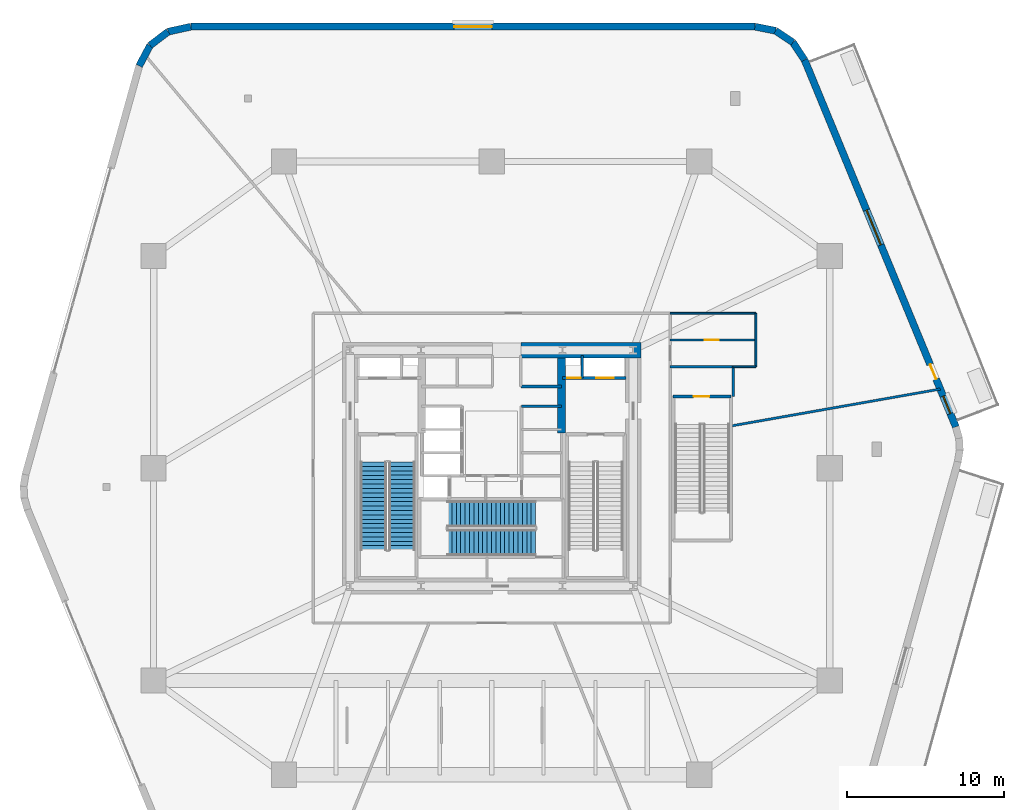
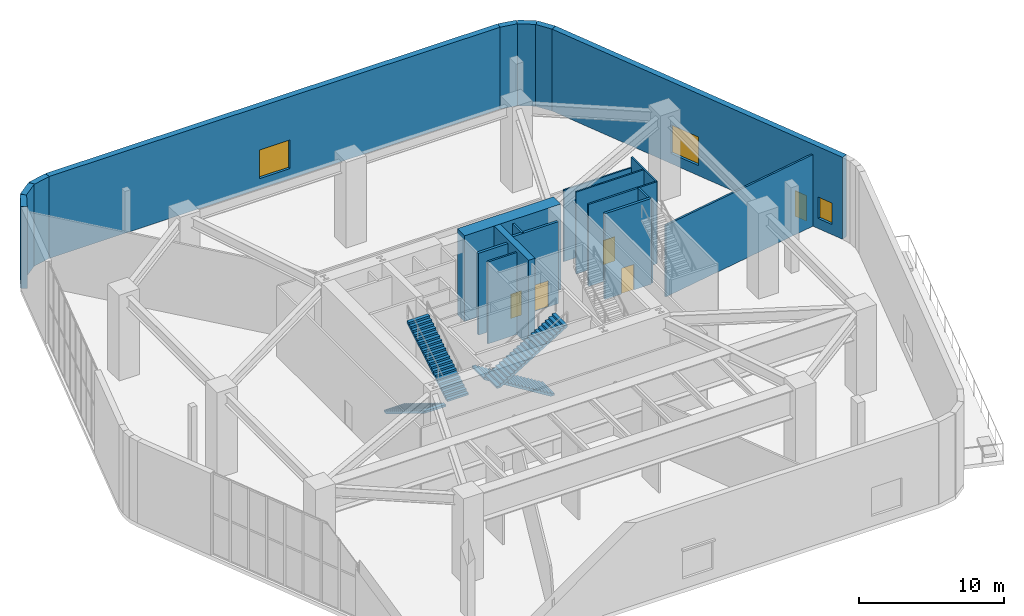
# One storey, part 12 of 17: 22 walls, 5 doors, 4 stair flights, 3 windows, 8 openings, 2 elements without a shape of their own.
"""IFC4 building model written with IfcOpenShell, lengths in metres."""

from ifc_helpers import new_model, si_unit, direction, frame, frame_2d, origin, place, context, subcontext, project, spatial, polyline, rectangle, outline, extrude, material, layer, layer_set, type_object, element, fill, aggregate, save


model = new_model("IFC4")

# Units and contexts
model_context = context("Model", 3, precision=1e-05, world=origin(), true_north=direction((0.0, 1.0)))
body_context = subcontext(model_context, "Body", "Model", "MODEL_VIEW")
ifc_project = project(units=[si_unit("LENGTHUNIT", "METRE"), si_unit("AREAUNIT", "SQUARE_METRE"), si_unit("VOLUMEUNIT", "CUBIC_METRE"), si_unit("PLANEANGLEUNIT", "RADIAN"), si_unit("MASSUNIT", "GRAM", prefix="KILO")], contexts=[model_context])

# Site, building, storey
site_placement = place(None, origin())
site = spatial("IfcSite", under=ifc_project, at=site_placement, CompositionType="ELEMENT")
building_placement = place(site_placement, origin())
building = spatial("IfcBuilding", under=site, at=building_placement, Name="Kilnhurst Terrace Hotel", CompositionType="ELEMENT")
storey_placement = place(building_placement, frame((0.0, 0.0, 11.39990234375)))
storey = spatial("IfcBuildingStorey", under=building, at=storey_placement, Name="L02", CompositionType="ELEMENT", Elevation=11.39990234375)

# Walls
ifc_material_1 = material(Name="Precast concrete C40/50", Category="concrete")
ifc_layer_1 = layer(ifc_material_1, 0.449951171875, Name="Precast concrete C40/50")
ifc_layer_set_1 = layer_set([ifc_layer_1], Name="Precast concrete C40/50")
wall_type_1 = type_object("IfcWallType", Name="WL-BRK-450", PredefinedType="SOLIDWALL", material=ifc_layer_set_1)
wall_1_placement = place(storey_placement, frame((19.895751953125, 25.965576171875, 0.0), z_axis=(0.0, 0.0, 1.0), x_axis=(-0.554237463162, 0.832358597257, 0.0)))
element("IfcWall", 1, at=wall_1_placement, inside=storey, type_object=wall_type_1, Name="L02 Rounded Corner Brick Wall C4.1", PredefinedType="SOLIDWALL", context=body_context, shape_type="SweptSolid", body=[
    extrude(rectangle(XDim=1.339599609375, YDim=0.449951171875, at=frame_2d((0.669921875, 0.0))), origin(), (0.0, 0.0, 1.0), 6.880126953125),
])
wall_2_placement = place(storey_placement, frame((19.1533203125, 27.08056640625, 0.0), z_axis=(0.0, 0.0, 1.0), x_axis=(-0.831050979436, 0.556196250956, 0.0)))
element("IfcWall", 2, at=wall_2_placement, inside=storey, type_object=wall_type_1, Name="L02 Rounded Corner Brick Wall C4.2", PredefinedType="SOLIDWALL", context=body_context, shape_type="SweptSolid", body=[
    extrude(rectangle(XDim=1.3173828125, YDim=0.449951171875, at=frame_2d((0.65869140625, 0.0))), origin(), (0.0, 0.0, 1.0), 6.880126953125),
])
wall_3_placement = place(storey_placement, frame((18.05859375, 27.813232421875, 0.0), z_axis=(0.0, 0.0, 1.0), x_axis=(-0.98072760743, 0.195380039986, 0.0)))
element("IfcWall", 3, at=wall_3_placement, inside=storey, type_object=wall_type_1, Name="L02 Rounded Corner Brick Wall C4.3", PredefinedType="SOLIDWALL", context=body_context, shape_type="SweptSolid", body=[
    extrude(rectangle(XDim=1.339599609375, YDim=0.449951171875, at=frame_2d((0.669921875, 0.0))), origin(), (0.0, 0.0, 1.0), 6.880126953125),
])
wall_4_placement = place(storey_placement, frame((-19.13525390625, 28.074951171875, 0.0), z_axis=(0.0, 0.0, 1.0), x_axis=(-0.976633338678, -0.214912358376, 0.0)))
element("IfcWall", 4, at=wall_4_placement, inside=storey, type_object=wall_type_1, Name="L02 Rounded Corner Brick Wall C5.1", PredefinedType="SOLIDWALL", context=body_context, shape_type="SweptSolid", body=[
    extrude(rectangle(XDim=1.473388671875, YDim=0.449951171875, at=frame_2d((0.73681640625, 0.0))), origin(), (0.0, 0.0, 1.0), 6.880126953125),
])
wall_5_placement = place(storey_placement, frame((-20.57421875, 27.75830078125, 0.0), z_axis=(0.0, 0.0, 1.0), x_axis=(-0.796282384807, -0.604925089284, 0.0)))
element("IfcWall", 5, at=wall_5_placement, inside=storey, type_object=wall_type_1, Name="L02 Rounded Corner Brick Wall C5.2", PredefinedType="SOLIDWALL", context=body_context, shape_type="SweptSolid", body=[
    extrude(rectangle(XDim=1.447998046875, YDim=0.449951171875, at=frame_2d((0.72412109375, 0.0))), origin(), (0.0, 0.0, 1.0), 6.880126953125),
])
wall_6_placement = place(storey_placement, frame((-21.727294921875, 26.88232421875, 0.0), z_axis=(0.0, 0.0, 1.0), x_axis=(-0.468626083389, -0.883396623249, 0.0)))
element("IfcWall", 6, at=wall_6_placement, inside=storey, type_object=wall_type_1, Name="L02 Rounded Corner Brick Wall C5.3", PredefinedType="SOLIDWALL", context=body_context, shape_type="SweptSolid", body=[
    extrude(rectangle(XDim=1.473388671875, YDim=0.449951171875, at=frame_2d((0.73681640625, 0.0))), origin(), (0.0, 0.0, 1.0), 6.880126953125),
])

# Wall, openings, door, windows
wall_7_placement = place(storey_placement, frame((29.515625, 2.626708984375, 0.0), z_axis=(0.0, 0.0, 1.0), x_axis=(-0.381080066032, 0.924542039754, 0.0)))
wall_7 = element("IfcWall", 7, at=wall_7_placement, inside=storey, type_object=wall_type_1, Name="L02 Exterior Brick Facade Wall F3", PredefinedType="SOLIDWALL", context=body_context, shape_type="SweptSolid", body=[
    extrude(rectangle(XDim=25.24365234375, YDim=0.449951171875, at=frame_2d((12.621826171875, 0.0))), origin(), (0.0, 0.0, 1.0), 6.880126953125),
])
opening_1_placement = place(wall_7_placement, frame((3.287109375, 0.0, 0.0)))
opening_1 = element("IfcOpeningElement", 8, at=opening_1_placement, cuts=wall_7, Name="Opening BD-1000", PredefinedType="OPENING", context=body_context, shape_type="SweptSolid", body=[
    extrude(rectangle(XDim=1.0, YDim=2.14990234375, at=frame_2d((0.5, 1.074951171875))), frame((0.0, 0.23486328125, 0.0), z_axis=(0.0, -1.0, 0.0), x_axis=(1.0, 0.0, 0.0)), (0.0, 0.0, 1.0), 0.469970703125),
])
opening_2_placement = place(wall_7_placement, frame((0.9150390625, 0.0, 0.85009765625)))
opening_2 = element("IfcOpeningElement", 9, at=opening_2_placement, cuts=wall_7, Name="Opening W-03", PredefinedType="OPENING", context=body_context, shape_type="SweptSolid", body=[
    extrude(rectangle(XDim=1.199951171875, YDim=1.800048828125, at=frame_2d((0.60009765625, 0.89990234375))), frame((0.0, 0.23486328125, 0.0), z_axis=(0.0, -1.0, 0.0), x_axis=(1.0, 0.0, 0.0)), (0.0, 0.0, 1.0), 0.469970703125),
])
opening_3_placement = place(wall_7_placement, frame((12.511962890625, 0.0, 0.85009765625)))
opening_3 = element("IfcOpeningElement", 10, at=opening_3_placement, cuts=wall_7, Name="Opening W-07", PredefinedType="OPENING", context=body_context, shape_type="SweptSolid", body=[
    extrude(rectangle(XDim=2.39990234375, YDim=2.39990234375, at=frame_2d((1.199951171875, 1.199951171875))), frame((0.0, 0.23486328125, 0.0), z_axis=(0.0, -1.0, 0.0), x_axis=(1.0, 0.0, 0.0)), (0.0, 0.0, 1.0), 0.469970703125),
])
ifc_material_2 = material(Name="Thermally Broken Bronze Aluminium Alloy 6063-T6 and Laminated Glass", Category="aluminium")
door_type_1 = type_object("IfcDoorType", Name="DR-EXT-BAL-1000", OperationType="NOTDEFINED", PredefinedType="DOOR", material=ifc_material_2)
door_1_placement = place(opening_1_placement, origin())
door_1 = element("IfcDoor", 11, at=door_1_placement, inside=storey, type_object=door_type_1, Name="L02 Planted Balcony Door TERR-2", OperationType="SINGLE_SWING_LEFT", OverallHeight=2.14990234375, OverallWidth=1.0, PredefinedType="DOOR", context=body_context, shape_type="SweptSolid", body=[
    extrude(rectangle(XDim=1.0, YDim=2.14990234375, at=frame_2d((0.5, 1.074951171875))), frame((0.0, 0.02490234375, 0.0), z_axis=(0.0, -1.0, 0.0), x_axis=(1.0, 0.0, 0.0)), (0.0, 0.0, 1.0), 0.050048828125),
])
fill(opening_1, door_1)
ifc_material_3 = material(Name="Thermally Broken Bronze Aluminium Alloy 6063-T6 and Low-E Glass", Category="aluminium")
window_type_1 = type_object("IfcWindowType", Name="WIN-1200X1800", PartitioningType="SINGLE_PANEL", PredefinedType="WINDOW", material=ifc_material_3)
window_1_placement = place(opening_2_placement, origin())
window_1 = element("IfcWindow", 12, at=window_1_placement, inside=storey, type_object=window_type_1, Name="L02 Deep-Set Masonry Window F3.1", OverallHeight=1.800048828125, OverallWidth=1.199951171875, PartitioningType="SINGLE_PANEL", PredefinedType="WINDOW", context=body_context, shape_type="SweptSolid", body=[
    extrude(rectangle(XDim=1.199951171875, YDim=1.800048828125, at=frame_2d((0.60009765625, 0.89990234375))), frame((0.0, 0.030029296875, 0.0), z_axis=(0.0, -1.0, 0.0), x_axis=(1.0, 0.0, 0.0)), (0.0, 0.0, 1.0), 0.06005859375),
])
fill(opening_2, window_1)
window_type_2 = type_object("IfcWindowType", Name="WIN-2400X2400", PartitioningType="SINGLE_PANEL", PredefinedType="WINDOW", material=ifc_material_3)
window_2_placement = place(opening_3_placement, origin())
window_2 = element("IfcWindow", 13, at=window_2_placement, inside=storey, type_object=window_type_2, Name="L02 Deep-Set Masonry Window F3.2", OverallHeight=2.39990234375, OverallWidth=2.39990234375, PartitioningType="SINGLE_PANEL", PredefinedType="WINDOW", context=body_context, shape_type="SweptSolid", body=[
    extrude(rectangle(XDim=2.39990234375, YDim=2.39990234375, at=frame_2d((1.199951171875, 1.199951171875))), frame((0.0, 0.030029296875, 0.0), z_axis=(0.0, -1.0, 0.0), x_axis=(1.0, 0.0, 0.0)), (0.0, 0.0, 1.0), 0.06005859375),
])
fill(opening_3, window_2)

# Wall, opening, window
wall_8_placement = place(storey_placement, frame((16.744873046875, 28.074951171875, 0.0), z_axis=(0.0, 0.0, 1.0), x_axis=(-1.0, 0.0, 0.0)))
wall_8 = element("IfcWall", 14, at=wall_8_placement, inside=storey, type_object=wall_type_1, Name="L02 Exterior Brick Facade Wall F4", PredefinedType="SOLIDWALL", context=body_context, shape_type="SweptSolid", body=[
    extrude(rectangle(XDim=35.880126953125, YDim=0.449951171875, at=frame_2d((17.93994140625, 0.0))), origin(), (0.0, 0.0, 1.0), 6.880126953125),
])
opening_4_placement = place(wall_8_placement, frame((16.739990234375, 0.0, 0.85009765625)))
opening_4 = element("IfcOpeningElement", 15, at=opening_4_placement, cuts=wall_8, Name="Opening W-07", PredefinedType="OPENING", context=body_context, shape_type="SweptSolid", body=[
    extrude(rectangle(XDim=2.39990234375, YDim=2.39990234375, at=frame_2d((1.199951171875, 1.199951171875))), frame((0.0, 0.23486328125, 0.0), z_axis=(0.0, -1.0, 0.0), x_axis=(1.0, 0.0, 0.0)), (0.0, 0.0, 1.0), 0.469970703125),
])
window_3_placement = place(opening_4_placement, origin())
window_3 = element("IfcWindow", 16, at=window_3_placement, inside=storey, type_object=window_type_2, Name="L02 Deep-Set Masonry Window F4.1", OverallHeight=2.39990234375, OverallWidth=2.39990234375, PartitioningType="SINGLE_PANEL", PredefinedType="WINDOW", context=body_context, shape_type="SweptSolid", body=[
    extrude(rectangle(XDim=2.39990234375, YDim=2.39990234375, at=frame_2d((1.199951171875, 1.199951171875))), frame((0.0, 0.030029296875, 0.0), z_axis=(0.0, -1.0, 0.0), x_axis=(1.0, 0.0, 0.0)), (0.0, 0.0, 1.0), 0.06005859375),
])
fill(opening_4, window_3)

# Walls
ifc_material_4 = material(Name="Acoustic Double-Gypsum Corridor Partition Assembly")
ifc_layer_2 = layer(ifc_material_4, 0.14990234375, Name="Acoustic Double-Gypsum Corridor Partition Assembly")
ifc_layer_set_2 = layer_set([ifc_layer_2], Name="Acoustic Double-Gypsum Corridor Partition Assembly")
wall_type_2 = type_object("IfcWallType", Name="WL-COR-150", PredefinedType="PARTITIONING", material=ifc_layer_set_2)
wall_9_placement = place(storey_placement, frame((11.35009765625, 6.449951171875, 0.0), z_axis=(0.0, 0.0, 1.0), x_axis=(1.0, 0.0, 0.0)))
element("IfcWall", 17, at=wall_9_placement, inside=storey, type_object=wall_type_2, Name="L02 Interior Wall WL-L02-ST4-VEST-N", PredefinedType="PARTITIONING", context=body_context, shape_type="SweptSolid", body=[
    extrude(rectangle(XDim=4.0, YDim=0.14990234375, at=frame_2d((2.0, 0.0))), origin(), (0.0, 0.0, 1.0), 6.880126953125),
])
wall_10_placement = place(storey_placement, frame((15.35009765625, 4.55810546875, 0.0), z_axis=(0.0, 0.0, 1.0), x_axis=(0.0, 1.0, 0.0)))
element("IfcWall", 18, at=wall_10_placement, inside=storey, type_object=wall_type_2, Name="L02 Interior Wall WL-L02-ST4-VEST-E", PredefinedType="PARTITIONING", context=body_context, shape_type="SweptSolid", body=[
    extrude(rectangle(XDim=1.891845703125, YDim=0.14990234375, at=frame_2d((0.94580078125, 0.0))), origin(), (0.0, 0.0, 1.0), 6.880126953125),
])
ifc_material_5 = material(Name="Concrete C80/95", Category="concrete")
ifc_layer_3 = layer(ifc_material_5, 1.0, Name="Concrete C80/95")
ifc_layer_set_3 = layer_set([ifc_layer_3], Name="Concrete C80/95")
wall_type_3 = type_object("IfcWallType", Name="WL-CORE-1000", PredefinedType="SHEAR", material=ifc_layer_set_3)
wall_11_placement = place(storey_placement, frame((1.85009765625, 7.5, 0.0), z_axis=(0.0, 0.0, 1.0), x_axis=(1.0, 0.0, 0.0)))
element("IfcWall", 19, at=wall_11_placement, inside=storey, type_object=wall_type_3, Name="L02 Core North East Shear Wall", PredefinedType="SHEAR", context=body_context, shape_type="SweptSolid", body=[
    extrude(rectangle(XDim=7.64990234375, YDim=1.0, at=frame_2d((3.824951171875, 0.0))), origin(), (0.0, 0.0, 1.0), 7.2001953125),
])
ifc_material_6 = material(Name="Concrete C60/75", Category="concrete")
ifc_layer_4 = layer(ifc_material_6, 0.5, Name="Concrete C60/75")
ifc_layer_set_4 = layer_set([ifc_layer_4], Name="Concrete C60/75")
wall_type_4 = type_object("IfcWallType", Name="WL-CORE-WEB-500", PredefinedType="SHEAR", material=ifc_layer_set_4)
wall_12_placement = place(storey_placement, frame((4.449951171875, 2.25, 0.0), z_axis=(0.0, 0.0, 1.0), x_axis=(0.0, 1.0, 0.0)))
element("IfcWall", 20, at=wall_12_placement, inside=storey, type_object=wall_type_4, Name="L02 Core Internal East Shear Web", PredefinedType="SHEAR", context=body_context, shape_type="SweptSolid", body=[
    extrude(rectangle(XDim=4.75, YDim=0.5, at=frame_2d((2.375, 0.0))), origin(), (0.0, 0.0, 1.0), 7.2001953125),
])
ifc_material_7 = material(Name="120 mm Moisture-Resistant Tile-Backed Bathroom Partition")
ifc_layer_5 = layer(ifc_material_7, 0.1201171875, Name="120 mm Moisture-Resistant Tile-Backed Bathroom Partition")
ifc_layer_set_5 = layer_set([ifc_layer_5], Name="120 mm Moisture-Resistant Tile-Backed Bathroom Partition")
wall_type_5 = type_object("IfcWallType", Name="WL-PART-120", PredefinedType="PARTITIONING", material=ifc_layer_set_5)
wall_13_placement = place(storey_placement, frame((15.35009765625, 6.449951171875, 0.0), z_axis=(0.0, 0.0, 1.0), x_axis=(1.0, 0.0, 0.0)))
element("IfcWall", 21, at=wall_13_placement, inside=storey, type_object=wall_type_5, Name="L02 Interior Wall WL-L02-PWC-S", PredefinedType="PARTITIONING", context=body_context, shape_type="SweptSolid", body=[
    extrude(rectangle(XDim=1.449951171875, YDim=0.1201171875, at=frame_2d((0.72509765625, 0.0))), origin(), (0.0, 0.0, 1.0), 6.880126953125),
])
wall_14_placement = place(storey_placement, frame((16.800048828125, 6.449951171875, 0.0), z_axis=(0.0, 0.0, 1.0), x_axis=(0.0, 1.0, 0.0)))
element("IfcWall", 22, at=wall_14_placement, inside=storey, type_object=wall_type_5, Name="L02 Interior Wall WL-L02-PWC-E", PredefinedType="PARTITIONING", context=body_context, shape_type="SweptSolid", body=[
    extrude(rectangle(XDim=3.400146484375, YDim=0.1201171875, at=frame_2d((1.7001953125, 0.0))), origin(), (0.0, 0.0, 1.0), 6.880126953125),
])
wall_15_placement = place(storey_placement, frame((11.35009765625, 9.85009765625, 0.0), z_axis=(0.0, 0.0, 1.0), x_axis=(1.0, 0.0, 0.0)))
element("IfcWall", 23, at=wall_15_placement, inside=storey, type_object=wall_type_5, Name="L02 Interior Wall WL-L02-PWC-N", PredefinedType="PARTITIONING", context=body_context, shape_type="SweptSolid", body=[
    extrude(rectangle(XDim=5.449951171875, YDim=0.1201171875, at=frame_2d((2.72509765625, 0.0))), origin(), (0.0, 0.0, 1.0), 6.014404296875),
])

# Wall, opening, door
wall_16_placement = place(storey_placement, frame((11.35009765625, 8.14990234375, 0.0), z_axis=(0.0, 0.0, 1.0), x_axis=(1.0, 0.0, 0.0)))
wall_16 = element("IfcWall", 24, at=wall_16_placement, inside=storey, type_object=wall_type_5, Name="L02 Interior Wall WL-L02-PWC-MID", PredefinedType="PARTITIONING", context=body_context, shape_type="SweptSolid", body=[
    extrude(rectangle(XDim=5.449951171875, YDim=0.1201171875, at=frame_2d((2.72509765625, 0.0))), origin(), (0.0, 0.0, 1.0), 6.880126953125),
])
opening_5_placement = place(wall_16_placement, frame((2.199951171875, 0.0, 0.0)))
opening_5 = element("IfcOpeningElement", 25, at=opening_5_placement, cuts=wall_16, Name="Opening D-09B", PredefinedType="OPENING", context=body_context, shape_type="SweptSolid", body=[
    extrude(rectangle(XDim=0.89990234375, YDim=2.030029296875, at=frame_2d((0.449951171875, 1.01513671875))), frame((0.0, 0.070068359375, 0.0), z_axis=(0.0, -1.0, 0.0), x_axis=(1.0, 0.0, 0.0)), (0.0, 0.0, 1.0), 0.14013671875),
])
ifc_material_8 = material(Name="Moisture-Resistant Solid-Core Restroom Door")
door_type_2 = type_object("IfcDoorType", Name="DR-INT-900", OperationType="NOTDEFINED", PredefinedType="DOOR", material=ifc_material_8)
door_2_placement = place(opening_5_placement, origin())
door_2 = element("IfcDoor", 26, at=door_2_placement, inside=storey, type_object=door_type_2, Name="L02 Accessible Restroom Door", OperationType="SINGLE_SWING_RIGHT", OverallHeight=2.030029296875, OverallWidth=0.89990234375, PredefinedType="DOOR", context=body_context, shape_type="SweptSolid", body=[
    extrude(rectangle(XDim=0.89990234375, YDim=2.030029296875, at=frame_2d((0.449951171875, 1.01513671875))), frame((0.0, 0.02490234375, 0.0), z_axis=(0.0, -1.0, 0.0), x_axis=(1.0, 0.0, 0.0)), (0.0, 0.0, 1.0), 0.050048828125),
])
fill(opening_5, door_2)

# Walls
ifc_material_9 = material(Name="150 mm Acoustic Gypsum Hospitality Partition")
ifc_layer_6 = layer(ifc_material_9, 0.14990234375, Name="150 mm Acoustic Gypsum Hospitality Partition")
ifc_layer_set_6 = layer_set([ifc_layer_6], Name="150 mm Acoustic Gypsum Hospitality Partition")
wall_type_6 = type_object("IfcWallType", Name="WL-PART-150", PredefinedType="PARTITIONING", material=ifc_layer_set_6)
wall_17_placement = place(storey_placement, frame((15.300048828125, 2.69775390625, 0.0), z_axis=(0.0, 0.0, 1.0), x_axis=(0.984806610591, 0.173654656533, 0.0)))
element("IfcWall", 27, at=wall_17_placement, inside=storey, type_object=wall_type_6, Name="L02 Interior Wall WL-L02-PDIV-3-1", PredefinedType="PARTITIONING", context=body_context, shape_type="SweptSolid", body=[
    extrude(rectangle(XDim=13.42919921875, YDim=0.14990234375, at=frame_2d((6.714599609375, 0.0))), origin(), (0.0, 0.0, 1.0), 6.014404296875),
])
ifc_material_10 = material(Name="Fire-Rated Gypsum Shaftliner Assembly")
ifc_layer_7 = layer(ifc_material_10, 0.14990234375, Name="Fire-Rated Gypsum Shaftliner Assembly")
ifc_layer_set_7 = layer_set([ifc_layer_7], Name="Fire-Rated Gypsum Shaftliner Assembly")
wall_type_7 = type_object("IfcWallType", Name="WL-SHAFT-150", PredefinedType="PARTITIONING", material=ifc_layer_set_7)
wall_18_placement = place(storey_placement, frame((5.75, 5.739990234375, 0.0), z_axis=(0.0, 0.0, 1.0), x_axis=(0.0, 1.0, 0.0)))
element("IfcWall", 28, at=wall_18_placement, inside=storey, type_object=wall_type_7, Name="L02 Interior Wall WL-L02-RIS2-DIV", PredefinedType="PARTITIONING", context=body_context, shape_type="SweptSolid", body=[
    extrude(rectangle(XDim=1.409912109375, YDim=0.14990234375, at=frame_2d((0.705078125, 0.0))), origin(), (0.0, 0.0, 1.0), 6.880126953125),
])
wall_19_placement = place(storey_placement, frame((1.89990234375, 3.93994140625, 0.0), z_axis=(0.0, 0.0, 1.0), x_axis=(1.0, 0.0, 0.0)))
element("IfcWall", 29, at=wall_19_placement, inside=storey, type_object=wall_type_7, Name="L02 Interior Wall WL-L02-MR-NORTH", PredefinedType="PARTITIONING", context=body_context, shape_type="SweptSolid", body=[
    extrude(rectangle(XDim=2.550048828125, YDim=0.14990234375, at=frame_2d((1.27490234375, 0.0))), origin(), (0.0, 0.0, 1.0), 6.880126953125),
])

# Wall, openings, doors
ifc_material_11 = material(Name="Autoclaved Aerated Concrete C30/37 and Gypsum Shaft Assembly", Category="concrete")
ifc_layer_8 = layer(ifc_material_11, 0.199951171875, Name="Autoclaved Aerated Concrete C30/37 and Gypsum Shaft Assembly")
ifc_layer_set_8 = layer_set([ifc_layer_8], Name="Autoclaved Aerated Concrete C30/37 and Gypsum Shaft Assembly")
wall_type_8 = type_object("IfcWallType", Name="WL-SHAFT-200", PredefinedType="PARTITIONING", material=ifc_layer_set_8)
wall_20_placement = place(storey_placement, frame((4.5, 5.739990234375, 0.0), z_axis=(0.0, 0.0, 1.0), x_axis=(1.0, 0.0, 0.0)))
wall_20 = element("IfcWall", 30, at=wall_20_placement, inside=storey, type_object=wall_type_8, Name="L02 Interior Wall WL-L02-FSAE2-S", PredefinedType="PARTITIONING", context=body_context, shape_type="SweptSolid", body=[
    extrude(rectangle(XDim=4.050048828125, YDim=0.199951171875, at=frame_2d((2.02490234375, 0.0))), origin(), (0.0, 0.0, 1.0), 6.880126953125),
])
opening_6_placement = place(wall_20_placement, frame((0.300048828125, 0.0, 0.0)))
opening_6 = element("IfcOpeningElement", 31, at=opening_6_placement, cuts=wall_20, Name="Opening D-60D", PredefinedType="OPENING", context=body_context, shape_type="SweptSolid", body=[
    extrude(rectangle(XDim=0.85009765625, YDim=2.030029296875, at=frame_2d((0.425048828125, 1.01513671875))), frame((0.0, 0.10986328125, 0.0), z_axis=(0.0, -1.0, 0.0), x_axis=(1.0, 0.0, 0.0)), (0.0, 0.0, 1.0), 0.219970703125),
])
opening_7_placement = place(wall_20_placement, frame((2.14990234375, 0.0, 0.0)))
opening_7 = element("IfcOpeningElement", 32, at=opening_7_placement, cuts=wall_20, Name="Opening LD-F2", PredefinedType="OPENING", context=body_context, shape_type="SweptSolid", body=[
    extrude(rectangle(XDim=1.10009765625, YDim=2.199951171875, at=frame_2d((0.550048828125, 1.10009765625))), frame((0.0, 0.10986328125, 0.0), z_axis=(0.0, -1.0, 0.0), x_axis=(1.0, 0.0, 0.0)), (0.0, 0.0, 1.0), 0.219970703125),
])
ifc_material_12 = material(Name="Painted Hollow Metal Steel ASTM A36 Riser Door", Category="steel")
door_type_3 = type_object("IfcDoorType", Name="DR-FD60-850", OperationType="NOTDEFINED", PredefinedType="DOOR", material=ifc_material_12)
door_3_placement = place(opening_6_placement, origin())
door_3 = element("IfcDoor", 33, at=door_3_placement, inside=storey, type_object=door_type_3, Name="L02 Telecom Riser Door", OperationType="SINGLE_SWING_RIGHT", OverallHeight=2.030029296875, OverallWidth=0.85009765625, PredefinedType="DOOR", context=body_context, shape_type="SweptSolid", body=[
    extrude(rectangle(XDim=0.85009765625, YDim=2.030029296875, at=frame_2d((0.425048828125, 1.01513671875))), frame((0.0, 0.02490234375, 0.0), z_axis=(0.0, -1.0, 0.0), x_axis=(1.0, 0.0, 0.0)), (0.0, 0.0, 1.0), 0.050048828125),
])
fill(opening_6, door_3)
ifc_material_13 = material(Name="Bronze-Anodized Stainless Steel AISI 316L Sliding Door", Category="steel")
door_type_4 = type_object("IfcDoorType", Name="DR-LIFT-1100", OperationType="NOTDEFINED", PredefinedType="DOOR", material=ifc_material_13)
door_4_placement = place(opening_7_placement, origin())
door_4 = element("IfcDoor", 34, at=door_4_placement, inside=storey, type_object=door_type_4, Name="L02 FSAE-2 Landing Door", OperationType="SLIDING_TO_RIGHT", OverallHeight=2.199951171875, OverallWidth=1.10009765625, PredefinedType="DOOR", context=body_context, shape_type="SweptSolid", body=[
    extrude(rectangle(XDim=1.10009765625, YDim=2.199951171875, at=frame_2d((0.550048828125, 1.10009765625))), frame((0.0, 0.02490234375, 0.0), z_axis=(0.0, -1.0, 0.0), x_axis=(1.0, 0.0, 0.0)), (0.0, 0.0, 1.0), 0.050048828125),
])
fill(opening_7, door_4)

# Wall
wall_21_placement = place(storey_placement, frame((1.85009765625, 5.199951171875, 0.0), z_axis=(0.0, 0.0, 1.0), x_axis=(1.0, 0.0, 0.0)))
element("IfcWall", 35, at=wall_21_placement, inside=storey, type_object=wall_type_8, Name="L02 Interior Wall WL-L02-HR-SE", PredefinedType="PARTITIONING", context=body_context, shape_type="SweptSolid", body=[
    extrude(rectangle(XDim=2.599853515625, YDim=0.199951171875, at=frame_2d((1.2998046875, 0.0))), origin(), (0.0, 0.0, 1.0), 6.880126953125),
])

# Wall, opening, door
ifc_material_14 = material(Name="Concrete C50/60", Category="concrete")
ifc_layer_9 = layer(ifc_material_14, 0.199951171875, Name="Concrete C50/60")
ifc_layer_set_9 = layer_set([ifc_layer_9], Name="Concrete C50/60")
wall_type_9 = type_object("IfcWallType", Name="WL-STAIR-RC-200", PredefinedType="SHEAR", material=ifc_layer_set_9)
wall_22_placement = place(storey_placement, frame((11.5419921875, 4.55810546875, 0.0), z_axis=(0.0, 0.0, 1.0), x_axis=(1.0, 0.0, 0.0)))
wall_22 = element("IfcWall", 36, at=wall_22_placement, inside=storey, type_object=wall_type_9, Name="L02 Podium Stair ST-4 Structural Shaft Wall WL-L02-ST4-N", PredefinedType="SHEAR", context=body_context, shape_type="SweptSolid", body=[
    extrude(rectangle(XDim=3.68603515625, YDim=0.199951171875, at=frame_2d((1.843017578125, 0.0))), origin(), (0.0, 0.0, 1.0), 7.2001953125),
])
opening_8_placement = place(wall_22_placement, frame((1.300048828125, 0.0, 0.0)))
opening_8 = element("IfcOpeningElement", 37, at=opening_8_placement, cuts=wall_22, Name="Opening D-90B", PredefinedType="OPENING", context=body_context, shape_type="SweptSolid", body=[
    extrude(rectangle(XDim=1.0, YDim=2.14990234375, at=frame_2d((0.5, 1.074951171875))), frame((0.0, 0.10986328125, 0.0), z_axis=(0.0, -1.0, 0.0), x_axis=(1.0, 0.0, 0.0)), (0.0, 0.0, 1.0), 0.219970703125),
])
ifc_material_15 = material(Name="Painted Hollow Metal Steel ASTM A36 Fire Door", Category="steel")
door_type_5 = type_object("IfcDoorType", Name="DR-FD90-1000", OperationType="NOTDEFINED", PredefinedType="DOOR", material=ifc_material_15)
door_5_placement = place(opening_8_placement, origin())
door_5 = element("IfcDoor", 38, at=door_5_placement, inside=storey, type_object=door_type_5, Name="L02 Stair ST-4 Door", OperationType="SINGLE_SWING_RIGHT", OverallHeight=2.14990234375, OverallWidth=1.0, PredefinedType="DOOR", context=body_context, shape_type="SweptSolid", body=[
    extrude(rectangle(XDim=1.0, YDim=2.14990234375, at=frame_2d((0.5, 1.074951171875))), frame((0.0, 0.02490234375, 0.0), z_axis=(0.0, -1.0, 0.0), x_axis=(1.0, 0.0, 0.0)), (0.0, 0.0, 1.0), 0.050048828125),
])
fill(opening_8, door_5)

# Stair, stair flights
stair_type = type_object("IfcStairType", Name="STR-CORE-1660", PredefinedType="HALF_TURN_STAIR", material=ifc_material_14)
stair_1_placement = place(storey_placement, origin())
stair_1 = element("IfcStair", 39, at=stair_1_placement, inside=storey, type_object=stair_type, Name="L02 ST-1", PredefinedType="HALF_TURN_STAIR")
stair_flight_type = type_object("IfcStairFlightType", Name="FLT-RC-1660", PredefinedType="STRAIGHT", material=ifc_material_14)
stair_flight_1_placement = place(storey_placement, frame((-7.52001953125, 0.389892578125, 0.0), z_axis=(0.0, 0.0, 1.0), x_axis=(0.0, -1.0, 0.0)))
stair_flight_1 = element("IfcStairFlight", 40, at=stair_flight_1_placement, type_object=stair_flight_type, Name="ST-1 flight 1", NumberOfRisers=21, NumberOfTreads=20, PredefinedType="STRAIGHT", RiserHeight=0.171428571, TreadLength=0.28, context=body_context, shape_type="SweptSolid", body=[
    extrude(outline(polyline([(0.0, 0.0), (0.0, 0.17138671875), (0.280029296875, 0.17138671875), (0.280029296875, 0.3427734375), (0.56005859375, 0.3427734375), (0.56005859375, 0.514404296875), (0.840087890625, 0.514404296875), (0.840087890625, 0.685791015625), (1.1201171875, 0.685791015625), (1.1201171875, 0.857177734375), (1.39990234375, 0.857177734375), (1.39990234375, 1.028564453125), (1.679931640625, 1.028564453125), (1.679931640625, 1.199951171875), (1.9599609375, 1.199951171875), (1.9599609375, 1.371337890625), (2.239990234375, 1.371337890625), (2.239990234375, 1.54296875), (2.52001953125, 1.54296875), (2.52001953125, 1.71435546875), (2.800048828125, 1.71435546875), (2.800048828125, 1.8857421875), (3.080078125, 1.8857421875), (3.080078125, 2.05712890625), (3.360107421875, 2.05712890625), (3.360107421875, 2.228515625), (3.639892578125, 2.228515625), (3.639892578125, 2.39990234375), (3.919921875, 2.39990234375), (3.919921875, 2.571533203125), (4.199951171875, 2.571533203125), (4.199951171875, 2.742919921875), (4.47998046875, 2.742919921875), (4.47998046875, 2.914306640625), (4.760009765625, 2.914306640625), (4.760009765625, 3.085693359375), (5.0400390625, 3.085693359375), (5.0400390625, 3.257080078125), (5.320068359375, 3.257080078125), (5.320068359375, 3.428466796875), (5.60009765625, 3.428466796875), (5.60009765625, 3.60009765625), (5.60009765625, 3.252685546875), (0.287109375, 0.0), (0.0, 0.0)])), frame((0.0, 0.830078125, 0.0), z_axis=(0.0, -1.0, 0.0), x_axis=(1.0, 0.0, 0.0)), (0.0, 0.0, 1.0), 1.659912109375),
])
stair_flight_2_placement = place(storey_placement, frame((-5.7099609375, -5.2099609375, 3.60009765625), z_axis=(0.0, 0.0, 1.0), x_axis=(0.0, 1.0, 0.0)))
stair_flight_2 = element("IfcStairFlight", 41, at=stair_flight_2_placement, type_object=stair_flight_type, Name="ST-1 flight 2", NumberOfRisers=21, NumberOfTreads=20, PredefinedType="STRAIGHT", RiserHeight=0.171428571, TreadLength=0.28, context=body_context, shape_type="SweptSolid", body=[
    extrude(outline(polyline([(0.0, 0.0), (0.0, 0.17138671875), (0.280029296875, 0.17138671875), (0.280029296875, 0.3427734375), (0.56005859375, 0.3427734375), (0.56005859375, 0.514404296875), (0.840087890625, 0.514404296875), (0.840087890625, 0.685791015625), (1.1201171875, 0.685791015625), (1.1201171875, 0.857177734375), (1.39990234375, 0.857177734375), (1.39990234375, 1.028564453125), (1.679931640625, 1.028564453125), (1.679931640625, 1.199951171875), (1.9599609375, 1.199951171875), (1.9599609375, 1.371337890625), (2.239990234375, 1.371337890625), (2.239990234375, 1.54296875), (2.52001953125, 1.54296875), (2.52001953125, 1.71435546875), (2.800048828125, 1.71435546875), (2.800048828125, 1.8857421875), (3.080078125, 1.8857421875), (3.080078125, 2.05712890625), (3.360107421875, 2.05712890625), (3.360107421875, 2.228515625), (3.639892578125, 2.228515625), (3.639892578125, 2.39990234375), (3.919921875, 2.39990234375), (3.919921875, 2.571533203125), (4.199951171875, 2.571533203125), (4.199951171875, 2.742919921875), (4.47998046875, 2.742919921875), (4.47998046875, 2.914306640625), (4.760009765625, 2.914306640625), (4.760009765625, 3.085693359375), (5.0400390625, 3.085693359375), (5.0400390625, 3.257080078125), (5.320068359375, 3.257080078125), (5.320068359375, 3.428466796875), (5.60009765625, 3.428466796875), (5.60009765625, 3.60009765625), (5.60009765625, 3.252685546875), (0.287109375, 0.0), (0.0, 0.0)])), frame((0.0, 0.830078125, 0.0), z_axis=(0.0, -1.0, 0.0), x_axis=(1.0, 0.0, 0.0)), (0.0, 0.0, 1.0), 1.659912109375),
])
aggregate(stair_1, [stair_flight_1, stair_flight_2])

stair_2_placement = place(storey_placement, origin())
stair_2 = element("IfcStair", 42, at=stair_2_placement, inside=storey, type_object=stair_type, Name="L02 ST-3", PredefinedType="HALF_TURN_STAIR")
stair_flight_3_placement = place(storey_placement, frame((2.7900390625, -2.909912109375, 0.0), z_axis=(0.0, 0.0, 1.0), x_axis=(-1.0, 0.0, 0.0)))
stair_flight_3 = element("IfcStairFlight", 43, at=stair_flight_3_placement, type_object=stair_flight_type, Name="ST-3 flight 1", NumberOfRisers=21, NumberOfTreads=20, PredefinedType="STRAIGHT", RiserHeight=0.171428571, TreadLength=0.28, context=body_context, shape_type="SweptSolid", body=[
    extrude(outline(polyline([(0.0, 0.0), (0.0, 0.17138671875), (0.280029296875, 0.17138671875), (0.280029296875, 0.3427734375), (0.56005859375, 0.3427734375), (0.56005859375, 0.514404296875), (0.840087890625, 0.514404296875), (0.840087890625, 0.685791015625), (1.1201171875, 0.685791015625), (1.1201171875, 0.857177734375), (1.39990234375, 0.857177734375), (1.39990234375, 1.028564453125), (1.679931640625, 1.028564453125), (1.679931640625, 1.199951171875), (1.9599609375, 1.199951171875), (1.9599609375, 1.371337890625), (2.239990234375, 1.371337890625), (2.239990234375, 1.54296875), (2.52001953125, 1.54296875), (2.52001953125, 1.71435546875), (2.800048828125, 1.71435546875), (2.800048828125, 1.8857421875), (3.080078125, 1.8857421875), (3.080078125, 2.05712890625), (3.360107421875, 2.05712890625), (3.360107421875, 2.228515625), (3.639892578125, 2.228515625), (3.639892578125, 2.39990234375), (3.919921875, 2.39990234375), (3.919921875, 2.571533203125), (4.199951171875, 2.571533203125), (4.199951171875, 2.742919921875), (4.47998046875, 2.742919921875), (4.47998046875, 2.914306640625), (4.760009765625, 2.914306640625), (4.760009765625, 3.085693359375), (5.0400390625, 3.085693359375), (5.0400390625, 3.257080078125), (5.320068359375, 3.257080078125), (5.320068359375, 3.428466796875), (5.60009765625, 3.428466796875), (5.60009765625, 3.60009765625), (5.60009765625, 3.252685546875), (0.287109375, 0.0), (0.0, 0.0)])), frame((0.0, 0.830078125, 0.0), z_axis=(0.0, -1.0, 0.0), x_axis=(1.0, 0.0, 0.0)), (0.0, 0.0, 1.0), 1.659912109375),
])
stair_flight_4_placement = place(storey_placement, frame((-2.81005859375, -4.719970703125, 3.60009765625), z_axis=(0.0, 0.0, 1.0), x_axis=(1.0, 0.0, 0.0)))
stair_flight_4 = element("IfcStairFlight", 44, at=stair_flight_4_placement, type_object=stair_flight_type, Name="ST-3 flight 2", NumberOfRisers=21, NumberOfTreads=20, PredefinedType="STRAIGHT", RiserHeight=0.171428571, TreadLength=0.28, context=body_context, shape_type="SweptSolid", body=[
    extrude(outline(polyline([(0.0, 0.0), (0.0, 0.17138671875), (0.280029296875, 0.17138671875), (0.280029296875, 0.3427734375), (0.56005859375, 0.3427734375), (0.56005859375, 0.514404296875), (0.840087890625, 0.514404296875), (0.840087890625, 0.685791015625), (1.1201171875, 0.685791015625), (1.1201171875, 0.857177734375), (1.39990234375, 0.857177734375), (1.39990234375, 1.028564453125), (1.679931640625, 1.028564453125), (1.679931640625, 1.199951171875), (1.9599609375, 1.199951171875), (1.9599609375, 1.371337890625), (2.239990234375, 1.371337890625), (2.239990234375, 1.54296875), (2.52001953125, 1.54296875), (2.52001953125, 1.71435546875), (2.800048828125, 1.71435546875), (2.800048828125, 1.8857421875), (3.080078125, 1.8857421875), (3.080078125, 2.05712890625), (3.360107421875, 2.05712890625), (3.360107421875, 2.228515625), (3.639892578125, 2.228515625), (3.639892578125, 2.39990234375), (3.919921875, 2.39990234375), (3.919921875, 2.571533203125), (4.199951171875, 2.571533203125), (4.199951171875, 2.742919921875), (4.47998046875, 2.742919921875), (4.47998046875, 2.914306640625), (4.760009765625, 2.914306640625), (4.760009765625, 3.085693359375), (5.0400390625, 3.085693359375), (5.0400390625, 3.257080078125), (5.320068359375, 3.257080078125), (5.320068359375, 3.428466796875), (5.60009765625, 3.428466796875), (5.60009765625, 3.60009765625), (5.60009765625, 3.252685546875), (0.287109375, 0.0), (0.0, 0.0)])), frame((0.0, 0.830078125, 0.0), z_axis=(0.0, -1.0, 0.0), x_axis=(1.0, 0.0, 0.0)), (0.0, 0.0, 1.0), 1.659912109375),
])
aggregate(stair_2, [stair_flight_3, stair_flight_4])

save(model, "model.ifc")
